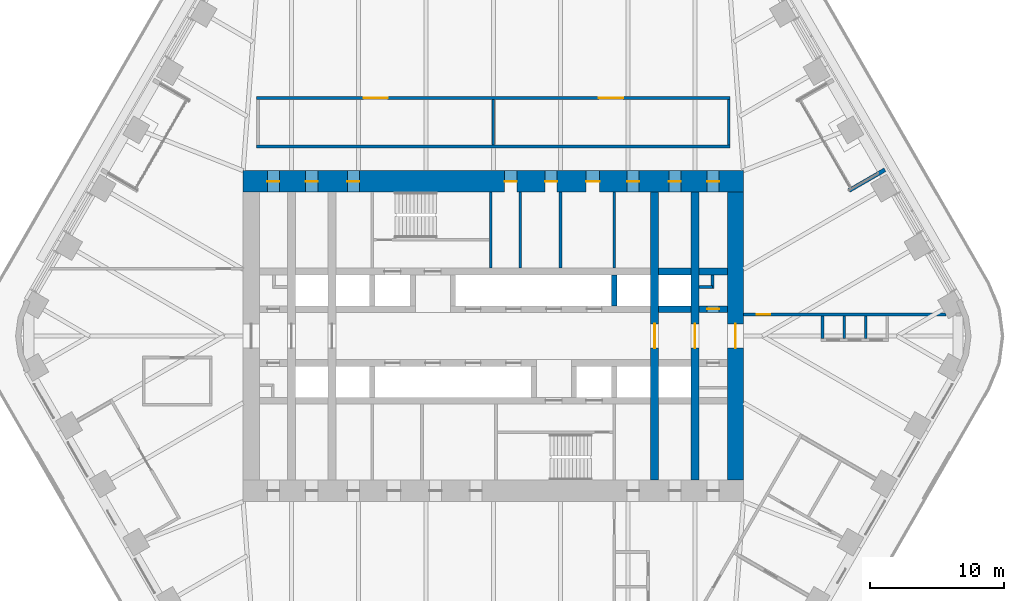
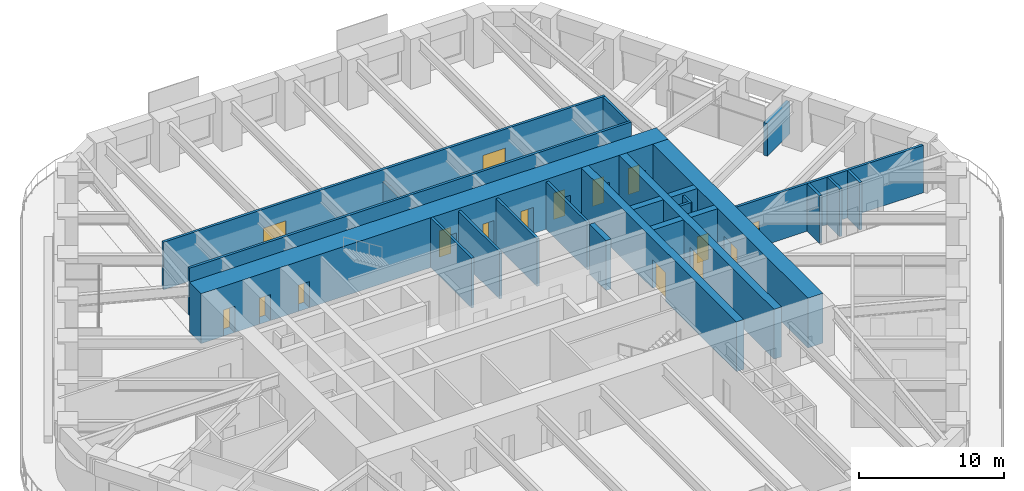
# One storey, part 20 of 24: 24 walls, 16 doors, 16 openings.
"""IFC4 building model written with IfcOpenShell, lengths in metres."""

from ifc_helpers import new_model, si_unit, direction, frame, frame_2d, origin, place, context, subcontext, project, spatial, rectangle, extrude, material, layer, layer_set, type_object, element, fill, save


model = new_model("IFC4")

# Units and contexts
model_context = context("Model", 3, precision=1e-05, world=origin(), true_north=direction((0.0, 1.0)))
body_context = subcontext(model_context, "Body", "Model", "MODEL_VIEW")
ifc_project = project(units=[si_unit("LENGTHUNIT", "METRE"), si_unit("AREAUNIT", "SQUARE_METRE"), si_unit("VOLUMEUNIT", "CUBIC_METRE"), si_unit("PLANEANGLEUNIT", "RADIAN"), si_unit("MASSUNIT", "GRAM", prefix="KILO")], contexts=[model_context])

# Site, building, storey
site_placement = place(None, origin())
site = spatial("IfcSite", under=ifc_project, at=site_placement, CompositionType="ELEMENT")
building_placement = place(site_placement, origin())
building = spatial("IfcBuilding", under=site, at=building_placement, Name="Tarfa Lantern Tower", CompositionType="ELEMENT")
storey_placement = place(building_placement, frame((0.0, 0.0, 161.5)))
storey = spatial("IfcBuildingStorey", under=building, at=storey_placement, Name="L36", CompositionType="ELEMENT", Elevation=161.5)

# Walls
ifc_material_1 = material(Name="Limestone cladding on blockwork", Category="masonry")
ifc_layer_1 = layer(ifc_material_1, 0.300048828125)
ifc_layer_set_1 = layer_set([ifc_layer_1], Name="EW1 STONE-CLAD WALL 300")
wall_type_1 = type_object("IfcWallType", Name="EW1 STONE-CLAD WALL 300", PredefinedType="SOLIDWALL", material=ifc_layer_set_1)
wall_1_placement = place(storey_placement, frame((29.1201171875, 12.362548828125, 0.0), z_axis=(0.0, 0.0, 1.0), x_axis=(-0.86602952684, -0.49999285859, 0.0)))
element("IfcWall", 1, at=wall_1_placement, inside=storey, type_object=wall_type_1, Name="Loggia return NE 1", PredefinedType="SOLIDWALL", context=body_context, shape_type="SweptSolid", body=[
    extrude(rectangle(XDim=3.10009765625, YDim=0.300048828125, at=frame_2d((1.550048828125, 0.0))), origin(), (0.0, 0.0, 1.0), 2.75),
])
ifc_material_2 = material(Name="Concrete blockwork", Category="masonry")
ifc_layer_2 = layer(ifc_material_2, 0.199951171875)
ifc_layer_set_2 = layer_set([ifc_layer_2], Name="IW1 BLOCKWORK PARTITION 200 EI 120")
wall_type_2 = type_object("IfcWallType", Name="IW1 BLOCKWORK PARTITION 200 EI 120", PredefinedType="PARTITIONING", material=ifc_layer_set_2)
for number, where, z_axis, x_axis, name in (
    (2, (9.0, 5.050048828125, 0.0), (0.0, 0.0, 1.0), (0.0, 1.0, 0.0), "Core partition"),
    (3, (2.0, 5.050048828125, 0.0), (0.0, 0.0, 1.0), (0.0, 1.0, 0.0), "Core partition"),
    (4, (5.0, 5.050048828125, 0.0), (0.0, 0.0, 1.0), (0.0, 1.0, 0.0), "Core partition"),
):
    element("IfcWall", number, at=place(storey_placement, frame(where, z_axis=z_axis, x_axis=x_axis)), inside=storey, type_object=wall_type_2, Name=name, PredefinedType="PARTITIONING", context=body_context, shape_type="SweptSolid", body=[
        extrude(rectangle(XDim=5.64990234375, YDim=0.199951171875, at=frame_2d((2.824951171875, 0.0))), origin(), (0.0, 0.0, 1.0), 4.0),
    ])
for number, where, z_axis, x_axis, name in (
    (5, (15.300048828125, 3.64990234375, 0.0), (0.0, 0.0, 1.0), (1.0, 0.0, 0.0), "Core partition"),
    (6, (16.300048828125, 3.550048828125, 0.0), (0.0, 0.0, 1.0), (0.0, 1.0, 0.0), "Core partition"),
):
    element("IfcWall", number, at=place(storey_placement, frame(where, z_axis=z_axis, x_axis=x_axis)), inside=storey, type_object=wall_type_2, Name=name, PredefinedType="PARTITIONING", context=body_context, shape_type="SweptSolid", body=[
        extrude(rectangle(XDim=1.0, YDim=0.199951171875, at=frame_2d((0.5, 0.0))), origin(), (0.0, 0.0, 1.0), 4.0),
    ])
ifc_material_3 = material(Name="Gypsum board on steel studs", Category="steel")
ifc_layer_3 = layer(ifc_material_3, 0.2099609375)
ifc_layer_set_3 = layer_set([ifc_layer_3], Name="IW2 ACOUSTIC PARTITION 200")
wall_type_3 = type_object("IfcWallType", Name="IW2 ACOUSTIC PARTITION 200", PredefinedType="PARTITIONING", material=ifc_layer_set_3)
wall_2_placement = place(storey_placement, frame((-17.60009765625, 14.10009765625, 0.0), z_axis=(0.0, 0.0, 1.0), x_axis=(1.0, 0.0, 0.0)))
element("IfcWall", 7, at=wall_2_placement, inside=storey, type_object=wall_type_3, Name="Partition", PredefinedType="PARTITIONING", context=body_context, shape_type="SweptSolid", body=[
    extrude(rectangle(XDim=35.2001953125, YDim=0.199951171875, at=frame_2d((17.60009765625, 0.0))), origin(), (0.0, 0.0, 1.0), 4.0),
])

# Wall, openings, doors
wall_3_placement = place(storey_placement, frame((-17.60009765625, 17.699951171875, 0.0), z_axis=(0.0, 0.0, 1.0), x_axis=(1.0, 0.0, 0.0)))
wall_3 = element("IfcWall", 8, at=wall_3_placement, inside=storey, type_object=wall_type_3, Name="Partition", PredefinedType="PARTITIONING", context=body_context, shape_type="SweptSolid", body=[
    extrude(rectangle(XDim=35.2001953125, YDim=0.199951171875, at=frame_2d((17.60009765625, 0.0))), origin(), (0.0, 0.0, 1.0), 4.0),
])
opening_1_placement = place(wall_3_placement, frame((7.949951171875, 0.0, 0.0)))
opening_1 = element("IfcOpeningElement", 9, at=opening_1_placement, cuts=wall_3, Name="Opening D39", PredefinedType="OPENING", context=body_context, shape_type="SweptSolid", body=[
    extrude(rectangle(XDim=1.800048828125, YDim=2.39990234375, at=frame_2d((0.89990234375, 1.199951171875))), frame((0.0, 0.10986328125, 0.0), z_axis=(0.0, -1.0, 0.0), x_axis=(1.0, 0.0, 0.0)), (0.0, 0.0, 1.0), 0.219970703125),
])
opening_2_placement = place(wall_3_placement, frame((25.449951171875, 0.0, 0.0)))
opening_2 = element("IfcOpeningElement", 10, at=opening_2_placement, cuts=wall_3, Name="Opening D40", PredefinedType="OPENING", context=body_context, shape_type="SweptSolid", body=[
    extrude(rectangle(XDim=1.800048828125, YDim=2.39990234375, at=frame_2d((0.89990234375, 1.199951171875))), frame((0.0, 0.10986328125, 0.0), z_axis=(0.0, -1.0, 0.0), x_axis=(1.0, 0.0, 0.0)), (0.0, 0.0, 1.0), 0.219970703125),
])
ifc_material_4 = material(Name="Timber door", Category="wood")
door_type_1 = type_object("IfcDoorType", Name="DR2 ROOM DOOR 1800x2400", OperationType="DOUBLE_DOOR_SINGLE_SWING", PredefinedType="DOOR", material=ifc_material_4)
door_1_placement = place(opening_1_placement, frame((1.800048828125, 0.0, 0.0), z_axis=(0.0, 0.0, 1.0), x_axis=(-1.0, 0.0, 0.0)))
door_1 = element("IfcDoor", 11, at=door_1_placement, inside=storey, type_object=door_type_1, Name="Interview room door", OperationType="DOUBLE_DOOR_SINGLE_SWING", OverallHeight=2.39990234375, OverallWidth=1.800048828125, PredefinedType="DOOR", context=body_context, shape_type="SweptSolid", body=[
    extrude(rectangle(XDim=1.800048828125, YDim=2.39990234375, at=frame_2d((0.89990234375, 1.199951171875))), frame((0.0, 0.02490234375, 0.0), z_axis=(0.0, -1.0, 0.0), x_axis=(1.0, 0.0, 0.0)), (0.0, 0.0, 1.0), 0.050048828125),
])
fill(opening_1, door_1)
door_2_placement = place(opening_2_placement, frame((1.800048828125, 0.0, 0.0), z_axis=(0.0, 0.0, 1.0), x_axis=(-1.0, 0.0, 0.0)))
door_2 = element("IfcDoor", 12, at=door_2_placement, inside=storey, type_object=door_type_1, Name="Interview room door", OperationType="DOUBLE_DOOR_SINGLE_SWING", OverallHeight=2.39990234375, OverallWidth=1.800048828125, PredefinedType="DOOR", context=body_context, shape_type="SweptSolid", body=[
    extrude(rectangle(XDim=1.800048828125, YDim=2.39990234375, at=frame_2d((0.89990234375, 1.199951171875))), frame((0.0, 0.02490234375, 0.0), z_axis=(0.0, -1.0, 0.0), x_axis=(1.0, 0.0, 0.0)), (0.0, 0.0, 1.0), 0.050048828125),
])
fill(opening_2, door_2)

# Walls
wall_4_placement = place(storey_placement, frame((0.0, 14.199951171875, 0.0), z_axis=(0.0, 0.0, 1.0), x_axis=(0.0, 1.0, 0.0)))
element("IfcWall", 13, at=wall_4_placement, inside=storey, type_object=wall_type_3, Name="Partition", PredefinedType="PARTITIONING", context=body_context, shape_type="SweptSolid", body=[
    extrude(rectangle(XDim=3.400146484375, YDim=0.199951171875, at=frame_2d((1.7001953125, 0.0))), origin(), (0.0, 0.0, 1.0), 2.991943359375),
])
wall_5_placement = place(storey_placement, frame((17.5, 14.199951171875, 0.0), z_axis=(0.0, 0.0, 1.0), x_axis=(0.0, 1.0, 0.0)))
element("IfcWall", 14, at=wall_5_placement, inside=storey, type_object=wall_type_3, Name="Partition", PredefinedType="PARTITIONING", context=body_context, shape_type="SweptSolid", body=[
    extrude(rectangle(XDim=3.400146484375, YDim=0.199951171875, at=frame_2d((1.7001953125, 0.0))), origin(), (0.0, 0.0, 1.0), 4.0),
])

# Wall, opening, door
wall_6_placement = place(storey_placement, frame((18.60009765625, 1.60009765625, 0.0), z_axis=(0.0, 0.0, 1.0), x_axis=(1.0, 0.0, 0.0)))
wall_6 = element("IfcWall", 15, at=wall_6_placement, inside=storey, type_object=wall_type_3, Name="Partition", PredefinedType="PARTITIONING", context=body_context, shape_type="SweptSolid", body=[
    extrude(rectangle(XDim=15.059326171875, YDim=0.199951171875, at=frame_2d((7.52978515625, 0.0))), origin(), (0.0, 0.0, 1.0), 4.0),
])
opening_3_placement = place(wall_6_placement, frame((1.005859375, 0.0, 0.0)))
opening_3 = element("IfcOpeningElement", 16, at=opening_3_placement, cuts=wall_6, Name="Opening D47", PredefinedType="OPENING", context=body_context, shape_type="SweptSolid", body=[
    extrude(rectangle(XDim=1.0, YDim=2.199951171875, at=frame_2d((0.5, 1.10009765625))), frame((0.0, 0.10986328125, 0.0), z_axis=(0.0, -1.0, 0.0), x_axis=(1.0, 0.0, 0.0)), (0.0, 0.0, 1.0), 0.219970703125),
])
door_type_2 = type_object("IfcDoorType", Name="DR1 ROOM DOOR 1000x2200", OperationType="SINGLE_SWING_LEFT", PredefinedType="DOOR", material=ifc_material_4)
door_3_placement = place(opening_3_placement, frame((1.0, 0.0, 0.0), z_axis=(0.0, 0.0, 1.0), x_axis=(-1.0, 0.0, 0.0)))
door_3 = element("IfcDoor", 17, at=door_3_placement, inside=storey, type_object=door_type_2, Name="Zone door", OperationType="SINGLE_SWING_LEFT", OverallHeight=2.199951171875, OverallWidth=1.0, PredefinedType="DOOR", context=body_context, shape_type="SweptSolid", body=[
    extrude(rectangle(XDim=1.0, YDim=2.199951171875, at=frame_2d((0.5, 1.10009765625))), frame((0.0, 0.02490234375, 0.0), z_axis=(0.0, -1.0, 0.0), x_axis=(1.0, 0.0, 0.0)), (0.0, 0.0, 1.0), 0.050048828125),
])
fill(opening_3, door_3)

# Walls
for number, where, z_axis, x_axis, name in (
    (18, (24.482666015625, 1.5, 0.0), (0.0, 0.0, 1.0), (0.0, -1.0, 0.0), "Partition"),
    (19, (26.082763671875, 1.5, 0.0), (0.0, 0.0, 1.0), (0.0, -1.0, 0.0), "Partition"),
    (20, (27.6826171875, 1.5, 0.0), (0.0, 0.0, 1.0), (0.0, -1.0, 0.0), "Partition"),
):
    element("IfcWall", number, at=place(storey_placement, frame(where, z_axis=z_axis, x_axis=x_axis)), inside=storey, type_object=wall_type_3, Name=name, PredefinedType="PARTITIONING", context=body_context, shape_type="SweptSolid", body=[
        extrude(rectangle(XDim=1.699951171875, YDim=0.199951171875, at=frame_2d((0.85009765625, 0.0))), origin(), (0.0, 0.0, 1.0), 4.0),
    ])

# Wall, opening, door
ifc_material_5 = material(Name="Concrete C80/95", Category="concrete")
ifc_layer_4 = layer(ifc_material_5, 1.199951171875)
ifc_layer_set_4 = layer_set([ifc_layer_4], Name="SW1 CORE WALL 1200")
wall_type_4 = type_object("IfcWallType", Name="SW1 CORE WALL 1200", PredefinedType="SHEAR", material=ifc_layer_set_4)
wall_7_placement = place(storey_placement, frame((18.0, -10.699951171875, 0.0), z_axis=(0.0, 0.0, 1.0), x_axis=(0.0, 1.0, 0.0)))
wall_7 = element("IfcWall", 21, at=wall_7_placement, inside=storey, type_object=wall_type_4, Name="Core wall E", PredefinedType="SHEAR", context=body_context, shape_type="SweptSolid", body=[
    extrude(rectangle(XDim=21.39990234375, YDim=1.199951171875, at=frame_2d((10.699951171875, 0.0))), origin(), (0.0, 0.0, 1.0), 4.199951171875),
])
opening_4_placement = place(wall_7_placement, frame((9.800048828125, 0.0, 0.0)))
opening_4 = element("IfcOpeningElement", 22, at=opening_4_placement, cuts=wall_7, Name="Opening D15", PredefinedType="OPENING", context=body_context, shape_type="SweptSolid", body=[
    extrude(rectangle(XDim=1.800048828125, YDim=2.39990234375, at=frame_2d((0.89990234375, 1.199951171875))), frame((0.0, 0.60986328125, 0.0), z_axis=(0.0, -1.0, 0.0), x_axis=(1.0, 0.0, 0.0)), (0.0, 0.0, 1.0), 1.219970703125),
])
ifc_material_6 = material(Name="Steel fire door", Category="steel")
door_type_3 = type_object("IfcDoorType", Name="DL1 LOBBY DOOR 1800x2400", OperationType="DOUBLE_DOOR_SINGLE_SWING", PredefinedType="DOOR", material=ifc_material_6)
door_4_placement = place(opening_4_placement, frame((1.800048828125, 0.0, 0.0), z_axis=(0.0, 0.0, 1.0), x_axis=(-1.0, 0.0, 0.0)))
door_4 = element("IfcDoor", 23, at=door_4_placement, inside=storey, type_object=door_type_3, Name="Lift lobby door", OperationType="DOUBLE_DOOR_SINGLE_SWING", OverallHeight=2.39990234375, OverallWidth=1.800048828125, PredefinedType="DOOR", context=body_context, shape_type="SweptSolid", body=[
    extrude(rectangle(XDim=1.800048828125, YDim=2.39990234375, at=frame_2d((0.89990234375, 1.199951171875))), frame((0.0, 0.02490234375, 0.0), z_axis=(0.0, -1.0, 0.0), x_axis=(1.0, 0.0, 0.0)), (0.0, 0.0, 1.0), 0.050048828125),
])
fill(opening_4, door_4)

# Walls
ifc_layer_5 = layer(ifc_material_5, 0.199951171875)
ifc_layer_set_5 = layer_set([ifc_layer_5], Name="SW12 CORE WALL 200")
wall_type_5 = type_object("IfcWallType", Name="SW12 CORE WALL 200", PredefinedType="SHEAR", material=ifc_layer_set_5)
wall_8_placement = place(storey_placement, frame((-0.199951171875, 5.050048828125, 0.0), z_axis=(0.0, 0.0, 1.0), x_axis=(0.0, 1.0, 0.0)))
element("IfcWall", 24, at=wall_8_placement, inside=storey, type_object=wall_type_5, Name="Core wall stair shaft N", PredefinedType="SHEAR", context=body_context, shape_type="SweptSolid", body=[
    extrude(rectangle(XDim=5.64990234375, YDim=0.199951171875, at=frame_2d((2.824951171875, 0.0))), origin(), (0.0, 0.0, 1.0), 4.199951171875),
])
ifc_layer_6 = layer(ifc_material_5, 0.5)
ifc_layer_set_6 = layer_set([ifc_layer_6], Name="SW5 CORE WALL 500")
wall_type_6 = type_object("IfcWallType", Name="SW5 CORE WALL 500", PredefinedType="SHEAR", material=ifc_layer_set_6)
wall_9_placement = place(storey_placement, frame((12.300048828125, 2.0, 0.0), z_axis=(0.0, 0.0, 1.0), x_axis=(1.0, 0.0, 0.0)))
element("IfcWall", 25, at=wall_9_placement, inside=storey, type_object=wall_type_6, Name="Core wall lobby east N", PredefinedType="SHEAR", context=body_context, shape_type="SweptSolid", body=[
    extrude(rectangle(XDim=2.39990234375, YDim=0.5, at=frame_2d((1.199951171875, 0.0))), origin(), (0.0, 0.0, 1.0), 4.199951171875),
])

# Wall, opening, door
wall_10_placement = place(storey_placement, frame((15.300048828125, 2.0, 0.0), z_axis=(0.0, 0.0, 1.0), x_axis=(1.0, 0.0, 0.0)))
wall_10 = element("IfcWall", 26, at=wall_10_placement, inside=storey, type_object=wall_type_6, Name="Core wall lobby east N", PredefinedType="SHEAR", context=body_context, shape_type="SweptSolid", body=[
    extrude(rectangle(XDim=2.099853515625, YDim=0.5, at=frame_2d((1.0498046875, 0.0))), origin(), (0.0, 0.0, 1.0), 4.199951171875),
])
opening_5_placement = place(wall_10_placement, frame((0.60009765625, 0.0, 0.0)))
opening_5 = element("IfcOpeningElement", 27, at=opening_5_placement, cuts=wall_10, Name="Opening D17", PredefinedType="OPENING", context=body_context, shape_type="SweptSolid", body=[
    extrude(rectangle(XDim=0.89990234375, YDim=2.199951171875, at=frame_2d((0.449951171875, 1.10009765625))), frame((0.0, 0.260009765625, 0.0), z_axis=(0.0, -1.0, 0.0), x_axis=(1.0, 0.0, 0.0)), (0.0, 0.0, 1.0), 0.52001953125),
])
door_type_4 = type_object("IfcDoorType", Name="DF6 SERVICE ROOM DOOR 900x2200", OperationType="SINGLE_SWING_LEFT", PredefinedType="DOOR", material=ifc_material_6)
door_5_placement = place(opening_5_placement, origin())
door_5 = element("IfcDoor", 28, at=door_5_placement, inside=storey, type_object=door_type_4, Name="Service room door", OperationType="SINGLE_SWING_LEFT", OverallHeight=2.199951171875, OverallWidth=0.89990234375, PredefinedType="DOOR", context=body_context, shape_type="SweptSolid", body=[
    extrude(rectangle(XDim=0.89990234375, YDim=2.199951171875, at=frame_2d((0.449951171875, 1.10009765625))), frame((0.0, 0.02490234375, 0.0), z_axis=(0.0, -1.0, 0.0), x_axis=(1.0, 0.0, 0.0)), (0.0, 0.0, 1.0), 0.050048828125),
])
fill(opening_5, door_5)

# Walls
wall_11_placement = place(storey_placement, frame((12.300048828125, 4.800048828125, 0.0), z_axis=(0.0, 0.0, 1.0), x_axis=(1.0, 0.0, 0.0)))
element("IfcWall", 29, at=wall_11_placement, inside=storey, type_object=wall_type_6, Name="Core wall rear N", PredefinedType="SHEAR", context=body_context, shape_type="SweptSolid", body=[
    extrude(rectangle(XDim=2.39990234375, YDim=0.5, at=frame_2d((1.199951171875, 0.0))), origin(), (0.0, 0.0, 1.0), 4.199951171875),
])
wall_12_placement = place(storey_placement, frame((15.300048828125, 4.800048828125, 0.0), z_axis=(0.0, 0.0, 1.0), x_axis=(1.0, 0.0, 0.0)))
element("IfcWall", 30, at=wall_12_placement, inside=storey, type_object=wall_type_6, Name="Core wall rear N", PredefinedType="SHEAR", context=body_context, shape_type="SweptSolid", body=[
    extrude(rectangle(XDim=2.099853515625, YDim=0.5, at=frame_2d((1.0498046875, 0.0))), origin(), (0.0, 0.0, 1.0), 4.199951171875),
])
ifc_layer_7 = layer(ifc_material_5, 0.39990234375)
ifc_layer_set_7 = layer_set([ifc_layer_7], Name="SW6 CORE WALL 400")
wall_type_7 = type_object("IfcWallType", Name="SW6 CORE WALL 400", PredefinedType="SHEAR", material=ifc_layer_set_7)
wall_13_placement = place(storey_placement, frame((9.0, 2.25, 0.0), z_axis=(0.0, 0.0, 1.0), x_axis=(0.0, 1.0, 0.0)))
element("IfcWall", 31, at=wall_13_placement, inside=storey, type_object=wall_type_7, Name="Core wall divider N", PredefinedType="SHEAR", context=body_context, shape_type="SweptSolid", body=[
    extrude(rectangle(XDim=2.300048828125, YDim=0.39990234375, at=frame_2d((1.14990234375, 0.0))), origin(), (0.0, 0.0, 1.0), 4.199951171875),
])

# Wall, openings, doors
ifc_layer_8 = layer(ifc_material_5, 1.60009765625)
ifc_layer_set_8 = layer_set([ifc_layer_8], Name="SW7 CORE WALL 1600")
wall_type_8 = type_object("IfcWallType", Name="SW7 CORE WALL 1600", PredefinedType="SHEAR", material=ifc_layer_set_8)
wall_14_placement = place(storey_placement, frame((-18.60009765625, 11.5, 0.0), z_axis=(0.0, 0.0, 1.0), x_axis=(1.0, 0.0, 0.0)))
wall_14 = element("IfcWall", 32, at=wall_14_placement, inside=storey, type_object=wall_type_8, Name="Core wall N", PredefinedType="SHEAR", context=body_context, shape_type="SweptSolid", body=[
    extrude(rectangle(XDim=37.2001953125, YDim=1.60009765625, at=frame_2d((18.60009765625, 0.0))), origin(), (0.0, 0.0, 1.0), 4.199951171875),
])
opening_6_placement = place(wall_14_placement, frame((19.449951171875, 0.0, 0.0)))
opening_6 = element("IfcOpeningElement", 33, at=opening_6_placement, cuts=wall_14, Name="Opening D21", PredefinedType="OPENING", context=body_context, shape_type="SweptSolid", body=[
    extrude(rectangle(XDim=0.89990234375, YDim=2.199951171875, at=frame_2d((0.449951171875, 1.10009765625))), frame((0.0, 0.81005859375, 0.0), z_axis=(0.0, -1.0, 0.0), x_axis=(1.0, 0.0, 0.0)), (0.0, 0.0, 1.0), 1.6201171875),
])
opening_7_placement = place(wall_14_placement, frame((22.449951171875, 0.0, 0.0)))
opening_7 = element("IfcOpeningElement", 34, at=opening_7_placement, cuts=wall_14, Name="Opening D23", PredefinedType="OPENING", context=body_context, shape_type="SweptSolid", body=[
    extrude(rectangle(XDim=0.89990234375, YDim=2.199951171875, at=frame_2d((0.449951171875, 1.10009765625))), frame((0.0, 0.81005859375, 0.0), z_axis=(0.0, -1.0, 0.0), x_axis=(1.0, 0.0, 0.0)), (0.0, 0.0, 1.0), 1.6201171875),
])
opening_8_placement = place(wall_14_placement, frame((25.5, 0.0, 0.0)))
opening_8 = element("IfcOpeningElement", 35, at=opening_8_placement, cuts=wall_14, Name="Opening D25", PredefinedType="OPENING", context=body_context, shape_type="SweptSolid", body=[
    extrude(rectangle(XDim=1.0, YDim=2.199951171875, at=frame_2d((0.5, 1.10009765625))), frame((0.0, 0.81005859375, 0.0), z_axis=(0.0, -1.0, 0.0), x_axis=(1.0, 0.0, 0.0)), (0.0, 0.0, 1.0), 1.6201171875),
])
opening_9_placement = place(wall_14_placement, frame((1.800048828125, 0.0, 0.0)))
opening_9 = element("IfcOpeningElement", 36, at=opening_9_placement, cuts=wall_14, Name="Opening D11", PredefinedType="OPENING", context=body_context, shape_type="SweptSolid", body=[
    extrude(rectangle(XDim=0.89990234375, YDim=2.199951171875, at=frame_2d((0.449951171875, 1.10009765625))), frame((0.0, 0.81005859375, 0.0), z_axis=(0.0, -1.0, 0.0), x_axis=(1.0, 0.0, 0.0)), (0.0, 0.0, 1.0), 1.6201171875),
])
opening_10_placement = place(wall_14_placement, frame((4.64990234375, 0.0, 0.0)))
opening_10 = element("IfcOpeningElement", 37, at=opening_10_placement, cuts=wall_14, Name="Opening D07", PredefinedType="OPENING", context=body_context, shape_type="SweptSolid", body=[
    extrude(rectangle(XDim=0.89990234375, YDim=2.199951171875, at=frame_2d((0.449951171875, 1.10009765625))), frame((0.0, 0.81005859375, 0.0), z_axis=(0.0, -1.0, 0.0), x_axis=(1.0, 0.0, 0.0)), (0.0, 0.0, 1.0), 1.6201171875),
])
opening_11_placement = place(wall_14_placement, frame((7.75, 0.0, 0.0)))
opening_11 = element("IfcOpeningElement", 38, at=opening_11_placement, cuts=wall_14, Name="Opening D09", PredefinedType="OPENING", context=body_context, shape_type="SweptSolid", body=[
    extrude(rectangle(XDim=0.89990234375, YDim=2.199951171875, at=frame_2d((0.449951171875, 1.10009765625))), frame((0.0, 0.81005859375, 0.0), z_axis=(0.0, -1.0, 0.0), x_axis=(1.0, 0.0, 0.0)), (0.0, 0.0, 1.0), 1.6201171875),
])
opening_12_placement = place(wall_14_placement, frame((28.550048828125, 0.0, 0.0)))
opening_12 = element("IfcOpeningElement", 39, at=opening_12_placement, cuts=wall_14, Name="Opening D05", PredefinedType="OPENING", context=body_context, shape_type="SweptSolid", body=[
    extrude(rectangle(XDim=0.89990234375, YDim=2.199951171875, at=frame_2d((0.449951171875, 1.10009765625))), frame((0.0, 0.81005859375, 0.0), z_axis=(0.0, -1.0, 0.0), x_axis=(1.0, 0.0, 0.0)), (0.0, 0.0, 1.0), 1.6201171875),
])
opening_13_placement = place(wall_14_placement, frame((31.64990234375, 0.0, 0.0)))
opening_13 = element("IfcOpeningElement", 40, at=opening_13_placement, cuts=wall_14, Name="Opening D01", PredefinedType="OPENING", context=body_context, shape_type="SweptSolid", body=[
    extrude(rectangle(XDim=0.89990234375, YDim=2.199951171875, at=frame_2d((0.449951171875, 1.10009765625))), frame((0.0, 0.81005859375, 0.0), z_axis=(0.0, -1.0, 0.0), x_axis=(1.0, 0.0, 0.0)), (0.0, 0.0, 1.0), 1.6201171875),
])
opening_14_placement = place(wall_14_placement, frame((34.5, 0.0, 0.0)))
opening_14 = element("IfcOpeningElement", 41, at=opening_14_placement, cuts=wall_14, Name="Opening D03", PredefinedType="OPENING", context=body_context, shape_type="SweptSolid", body=[
    extrude(rectangle(XDim=0.89990234375, YDim=2.199951171875, at=frame_2d((0.449951171875, 1.10009765625))), frame((0.0, 0.81005859375, 0.0), z_axis=(0.0, -1.0, 0.0), x_axis=(1.0, 0.0, 0.0)), (0.0, 0.0, 1.0), 1.6201171875),
])
door_type_5 = type_object("IfcDoorType", Name="DF3 CORE ROOM DOOR 900x2200", OperationType="SINGLE_SWING_LEFT", PredefinedType="DOOR", material=ifc_material_6)
door_6_placement = place(opening_6_placement, frame((0.89990234375, 0.0, 0.0), z_axis=(0.0, 0.0, 1.0), x_axis=(-1.0, 0.0, 0.0)))
door_6 = element("IfcDoor", 42, at=door_6_placement, inside=storey, type_object=door_type_5, Name="Core door", OperationType="SINGLE_SWING_RIGHT", OverallHeight=2.199951171875, OverallWidth=0.89990234375, PredefinedType="DOOR", context=body_context, shape_type="SweptSolid", body=[
    extrude(rectangle(XDim=0.89990234375, YDim=2.199951171875, at=frame_2d((0.449951171875, 1.10009765625))), frame((0.0, 0.02490234375, 0.0), z_axis=(0.0, -1.0, 0.0), x_axis=(1.0, 0.0, 0.0)), (0.0, 0.0, 1.0), 0.050048828125),
])
fill(opening_6, door_6)
door_7_placement = place(opening_7_placement, frame((0.89990234375, 0.0, 0.0), z_axis=(0.0, 0.0, 1.0), x_axis=(-1.0, 0.0, 0.0)))
door_7 = element("IfcDoor", 43, at=door_7_placement, inside=storey, type_object=door_type_5, Name="Core door", OperationType="SINGLE_SWING_RIGHT", OverallHeight=2.199951171875, OverallWidth=0.89990234375, PredefinedType="DOOR", context=body_context, shape_type="SweptSolid", body=[
    extrude(rectangle(XDim=0.89990234375, YDim=2.199951171875, at=frame_2d((0.449951171875, 1.10009765625))), frame((0.0, 0.02490234375, 0.0), z_axis=(0.0, -1.0, 0.0), x_axis=(1.0, 0.0, 0.0)), (0.0, 0.0, 1.0), 0.050048828125),
])
fill(opening_7, door_7)
door_type_6 = type_object("IfcDoorType", Name="DF4 CORE ROOM DOOR 1000x2200", OperationType="SINGLE_SWING_LEFT", PredefinedType="DOOR", material=ifc_material_6)
door_8_placement = place(opening_8_placement, frame((1.0, 0.0, 0.0), z_axis=(0.0, 0.0, 1.0), x_axis=(-1.0, 0.0, 0.0)))
door_8 = element("IfcDoor", 44, at=door_8_placement, inside=storey, type_object=door_type_6, Name="Core door", OperationType="SINGLE_SWING_RIGHT", OverallHeight=2.199951171875, OverallWidth=1.0, PredefinedType="DOOR", context=body_context, shape_type="SweptSolid", body=[
    extrude(rectangle(XDim=1.0, YDim=2.199951171875, at=frame_2d((0.5, 1.10009765625))), frame((0.0, 0.02490234375, 0.0), z_axis=(0.0, -1.0, 0.0), x_axis=(1.0, 0.0, 0.0)), (0.0, 0.0, 1.0), 0.050048828125),
])
fill(opening_8, door_8)
door_type_7 = type_object("IfcDoorType", Name="DF5 RISER DOOR 900x2200", OperationType="SINGLE_SWING_LEFT", PredefinedType="DOOR", material=ifc_material_6)
door_9_placement = place(opening_9_placement, frame((0.89990234375, 0.0, 0.0), z_axis=(0.0, 0.0, 1.0), x_axis=(-1.0, 0.0, 0.0)))
door_9 = element("IfcDoor", 45, at=door_9_placement, inside=storey, type_object=door_type_7, Name="Riser door", OperationType="SINGLE_SWING_LEFT", OverallHeight=2.199951171875, OverallWidth=0.89990234375, PredefinedType="DOOR", context=body_context, shape_type="SweptSolid", body=[
    extrude(rectangle(XDim=0.89990234375, YDim=2.199951171875, at=frame_2d((0.449951171875, 1.10009765625))), frame((0.0, 0.02490234375, 0.0), z_axis=(0.0, -1.0, 0.0), x_axis=(1.0, 0.0, 0.0)), (0.0, 0.0, 1.0), 0.050048828125),
])
fill(opening_9, door_9)
door_10_placement = place(opening_10_placement, frame((0.89990234375, 0.0, 0.0), z_axis=(0.0, 0.0, 1.0), x_axis=(-1.0, 0.0, 0.0)))
door_10 = element("IfcDoor", 46, at=door_10_placement, inside=storey, type_object=door_type_7, Name="Riser door", OperationType="SINGLE_SWING_LEFT", OverallHeight=2.199951171875, OverallWidth=0.89990234375, PredefinedType="DOOR", context=body_context, shape_type="SweptSolid", body=[
    extrude(rectangle(XDim=0.89990234375, YDim=2.199951171875, at=frame_2d((0.449951171875, 1.10009765625))), frame((0.0, 0.02490234375, 0.0), z_axis=(0.0, -1.0, 0.0), x_axis=(1.0, 0.0, 0.0)), (0.0, 0.0, 1.0), 0.050048828125),
])
fill(opening_10, door_10)
door_11_placement = place(opening_11_placement, frame((0.89990234375, 0.0, 0.0), z_axis=(0.0, 0.0, 1.0), x_axis=(-1.0, 0.0, 0.0)))
door_11 = element("IfcDoor", 47, at=door_11_placement, inside=storey, type_object=door_type_7, Name="Riser door", OperationType="SINGLE_SWING_LEFT", OverallHeight=2.199951171875, OverallWidth=0.89990234375, PredefinedType="DOOR", context=body_context, shape_type="SweptSolid", body=[
    extrude(rectangle(XDim=0.89990234375, YDim=2.199951171875, at=frame_2d((0.449951171875, 1.10009765625))), frame((0.0, 0.02490234375, 0.0), z_axis=(0.0, -1.0, 0.0), x_axis=(1.0, 0.0, 0.0)), (0.0, 0.0, 1.0), 0.050048828125),
])
fill(opening_11, door_11)
door_12_placement = place(opening_12_placement, frame((0.89990234375, 0.0, 0.0), z_axis=(0.0, 0.0, 1.0), x_axis=(-1.0, 0.0, 0.0)))
door_12 = element("IfcDoor", 48, at=door_12_placement, inside=storey, type_object=door_type_7, Name="Riser door", OperationType="SINGLE_SWING_RIGHT", OverallHeight=2.199951171875, OverallWidth=0.89990234375, PredefinedType="DOOR", context=body_context, shape_type="SweptSolid", body=[
    extrude(rectangle(XDim=0.89990234375, YDim=2.199951171875, at=frame_2d((0.449951171875, 1.10009765625))), frame((0.0, 0.02490234375, 0.0), z_axis=(0.0, -1.0, 0.0), x_axis=(1.0, 0.0, 0.0)), (0.0, 0.0, 1.0), 0.050048828125),
])
fill(opening_12, door_12)
door_13_placement = place(opening_13_placement, frame((0.89990234375, 0.0, 0.0), z_axis=(0.0, 0.0, 1.0), x_axis=(-1.0, 0.0, 0.0)))
door_13 = element("IfcDoor", 49, at=door_13_placement, inside=storey, type_object=door_type_7, Name="Riser door", OperationType="SINGLE_SWING_RIGHT", OverallHeight=2.199951171875, OverallWidth=0.89990234375, PredefinedType="DOOR", context=body_context, shape_type="SweptSolid", body=[
    extrude(rectangle(XDim=0.89990234375, YDim=2.199951171875, at=frame_2d((0.449951171875, 1.10009765625))), frame((0.0, 0.02490234375, 0.0), z_axis=(0.0, -1.0, 0.0), x_axis=(1.0, 0.0, 0.0)), (0.0, 0.0, 1.0), 0.050048828125),
])
fill(opening_13, door_13)
door_14_placement = place(opening_14_placement, frame((0.89990234375, 0.0, 0.0), z_axis=(0.0, 0.0, 1.0), x_axis=(-1.0, 0.0, 0.0)))
door_14 = element("IfcDoor", 50, at=door_14_placement, inside=storey, type_object=door_type_7, Name="Riser door", OperationType="SINGLE_SWING_RIGHT", OverallHeight=2.199951171875, OverallWidth=0.89990234375, PredefinedType="DOOR", context=body_context, shape_type="SweptSolid", body=[
    extrude(rectangle(XDim=0.89990234375, YDim=2.199951171875, at=frame_2d((0.449951171875, 1.10009765625))), frame((0.0, 0.02490234375, 0.0), z_axis=(0.0, -1.0, 0.0), x_axis=(1.0, 0.0, 0.0)), (0.0, 0.0, 1.0), 0.050048828125),
])
fill(opening_14, door_14)

# Wall, opening, door
ifc_layer_9 = layer(ifc_material_5, 0.60009765625)
ifc_layer_set_9 = layer_set([ifc_layer_9], Name="SW9 CORE WALL 600")
wall_type_9 = type_object("IfcWallType", Name="SW9 CORE WALL 600", PredefinedType="SHEAR", material=ifc_layer_set_9)
wall_15_placement = place(storey_placement, frame((12.0, -10.699951171875, 0.0), z_axis=(0.0, 0.0, 1.0), x_axis=(0.0, 1.0, 0.0)))
wall_15 = element("IfcWall", 51, at=wall_15_placement, inside=storey, type_object=wall_type_9, Name="Core wall cross 12 m east", PredefinedType="SHEAR", context=body_context, shape_type="SweptSolid", body=[
    extrude(rectangle(XDim=21.39990234375, YDim=0.60009765625, at=frame_2d((10.699951171875, 0.0))), origin(), (0.0, 0.0, 1.0), 4.199951171875),
])
opening_15_placement = place(wall_15_placement, frame((9.800048828125, 0.0, 0.0)))
opening_15 = element("IfcOpeningElement", 52, at=opening_15_placement, cuts=wall_15, Name="Opening D29", PredefinedType="OPENING", context=body_context, shape_type="SweptSolid", body=[
    extrude(rectangle(XDim=1.800048828125, YDim=2.39990234375, at=frame_2d((0.89990234375, 1.199951171875))), frame((0.0, 0.31005859375, 0.0), z_axis=(0.0, -1.0, 0.0), x_axis=(1.0, 0.0, 0.0)), (0.0, 0.0, 1.0), 0.6201171875),
])
door_15_placement = place(opening_15_placement, origin())
door_15 = element("IfcDoor", 53, at=door_15_placement, inside=storey, type_object=door_type_3, Name="Lift lobby door", OperationType="DOUBLE_DOOR_SINGLE_SWING", OverallHeight=2.39990234375, OverallWidth=1.800048828125, PredefinedType="DOOR", context=body_context, shape_type="SweptSolid", body=[
    extrude(rectangle(XDim=1.800048828125, YDim=2.39990234375, at=frame_2d((0.89990234375, 1.199951171875))), frame((0.0, 0.02490234375, 0.0), z_axis=(0.0, -1.0, 0.0), x_axis=(1.0, 0.0, 0.0)), (0.0, 0.0, 1.0), 0.050048828125),
])
fill(opening_15, door_15)

wall_16_placement = place(storey_placement, frame((15.0, -10.699951171875, 0.0), z_axis=(0.0, 0.0, 1.0), x_axis=(0.0, 1.0, 0.0)))
wall_16 = element("IfcWall", 54, at=wall_16_placement, inside=storey, type_object=wall_type_9, Name="Core wall cross 15 m east", PredefinedType="SHEAR", context=body_context, shape_type="SweptSolid", body=[
    extrude(rectangle(XDim=21.39990234375, YDim=0.60009765625, at=frame_2d((10.699951171875, 0.0))), origin(), (0.0, 0.0, 1.0), 4.199951171875),
])
opening_16_placement = place(wall_16_placement, frame((9.800048828125, 0.0, 0.0)))
opening_16 = element("IfcOpeningElement", 55, at=opening_16_placement, cuts=wall_16, Name="Opening D30", PredefinedType="OPENING", context=body_context, shape_type="SweptSolid", body=[
    extrude(rectangle(XDim=1.800048828125, YDim=2.39990234375, at=frame_2d((0.89990234375, 1.199951171875))), frame((0.0, 0.31005859375, 0.0), z_axis=(0.0, -1.0, 0.0), x_axis=(1.0, 0.0, 0.0)), (0.0, 0.0, 1.0), 0.6201171875),
])
door_16_placement = place(opening_16_placement, origin())
door_16 = element("IfcDoor", 56, at=door_16_placement, inside=storey, type_object=door_type_3, Name="Lift lobby door", OperationType="DOUBLE_DOOR_SINGLE_SWING", OverallHeight=2.39990234375, OverallWidth=1.800048828125, PredefinedType="DOOR", context=body_context, shape_type="SweptSolid", body=[
    extrude(rectangle(XDim=1.800048828125, YDim=2.39990234375, at=frame_2d((0.89990234375, 1.199951171875))), frame((0.0, 0.02490234375, 0.0), z_axis=(0.0, -1.0, 0.0), x_axis=(1.0, 0.0, 0.0)), (0.0, 0.0, 1.0), 0.050048828125),
])
fill(opening_16, door_16)

save(model, "model.ifc")
